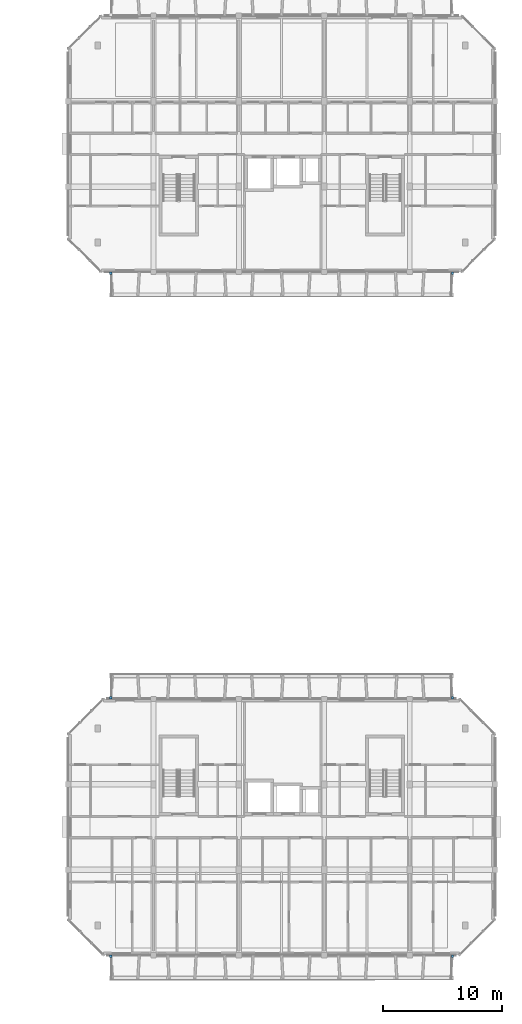
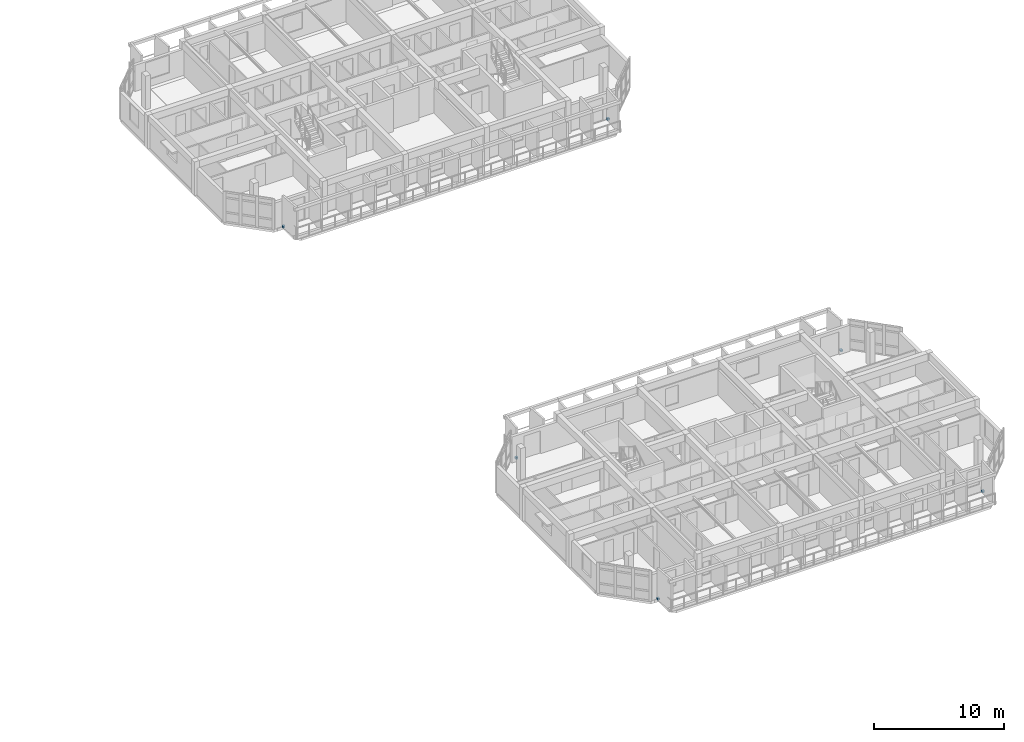
# One storey, part 24 of 31: 6 discrete accessories.
"""IFC4 building model written with IfcOpenShell, lengths in metres."""

from ifc_helpers import new_model, si_unit, direction, frame, origin, origin_2d, place, context, subcontext, project, spatial, rectangle, extrude, material, type_object, element, save


model = new_model("IFC4")

# Units and contexts
model_context = context("Model", 3, precision=1e-05, world=origin(), true_north=direction((0.0, 1.0)))
body_context = subcontext(model_context, "Body", "Model", "MODEL_VIEW")
ifc_project = project(units=[si_unit("LENGTHUNIT", "METRE"), si_unit("AREAUNIT", "SQUARE_METRE"), si_unit("VOLUMEUNIT", "CUBIC_METRE"), si_unit("PLANEANGLEUNIT", "RADIAN"), si_unit("MASSUNIT", "GRAM", prefix="KILO")], contexts=[model_context])

# Site, building, storey
site_placement = place(None, origin())
site = spatial("IfcSite", under=ifc_project, at=site_placement, CompositionType="ELEMENT")
building_placement = place(site_placement, origin())
building = spatial("IfcBuilding", under=site, at=building_placement, Name="Ochrevale Crest", CompositionType="ELEMENT")
storey_placement = place(building_placement, frame((0.0, 0.0, 37.050048828125)))
storey = spatial("IfcBuildingStorey", under=building, at=storey_placement, Name="L11", CompositionType="ELEMENT", Elevation=37.050048828125)

# Discrete accessories
ifc_material = material(Name="Galvanised steel", Category="steel")
discrete_accessory_type = type_object("IfcDiscreteAccessoryType", Name="ACC-BRK-HC", PredefinedType="BRACKET", material=ifc_material)
for number, where, z_axis, x_axis, name in (
    (1, (133.199951171875, 14.300048828125, 0.0), (0.0, 0.0, 1.0), (1.0, 0.0, 0.0), "Block C L11 precast loggia corbel bracket"),
    (2, (162.0, 14.300048828125, 0.0), (0.0, 0.0, 1.0), (1.0, 0.0, 0.0), "Block C L11 precast loggia corbel bracket"),
    (3, (133.199951171875, 36.10009765625, 0.0), (0.0, 0.0, 1.0), (1.0, 0.0, 0.0), "Block C L11 precast loggia corbel bracket"),
    (4, (162.0, 36.10009765625, 0.0), (0.0, 0.0, 1.0), (1.0, 0.0, 0.0), "Block C L11 precast loggia corbel bracket"),
    (5, (133.199951171875, 71.89990234375, 0.0), (0.0, 0.0, 1.0), (1.0, 0.0, 0.0), "Block D L11 precast loggia corbel bracket"),
    (6, (162.0, 71.89990234375, 0.0), (0.0, 0.0, 1.0), (1.0, 0.0, 0.0), "Block D L11 precast loggia corbel bracket"),
):
    element("IfcDiscreteAccessory", number, at=place(storey_placement, frame(where, z_axis=z_axis, x_axis=x_axis)), inside=storey, type_object=discrete_accessory_type, Name=name, PredefinedType="BRACKET", context=body_context, shape_type="SweptSolid", body=[
        extrude(rectangle(XDim=0.179931640625, YDim=0.219970703125, at=origin_2d()), origin(), (0.0, 0.0, 1.0), 0.179931640625),
    ])

save(model, "model.ifc")
